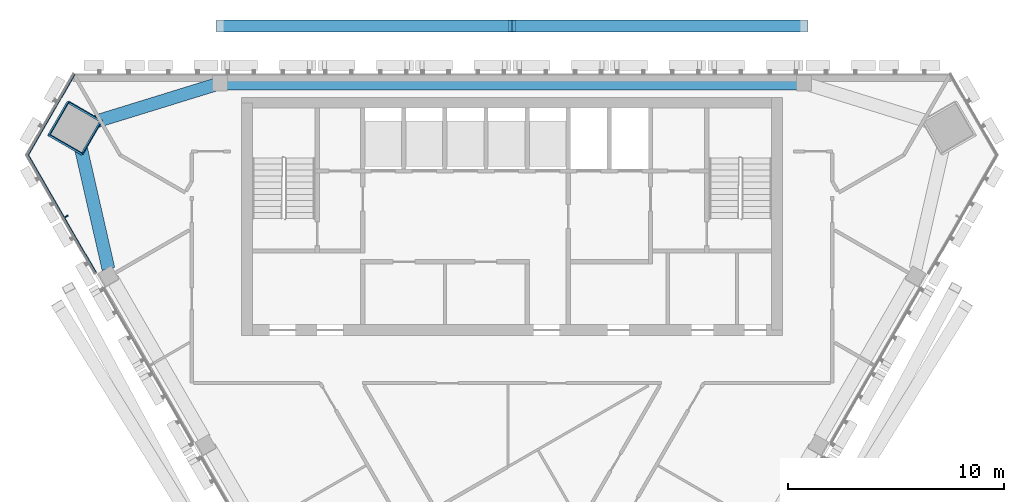
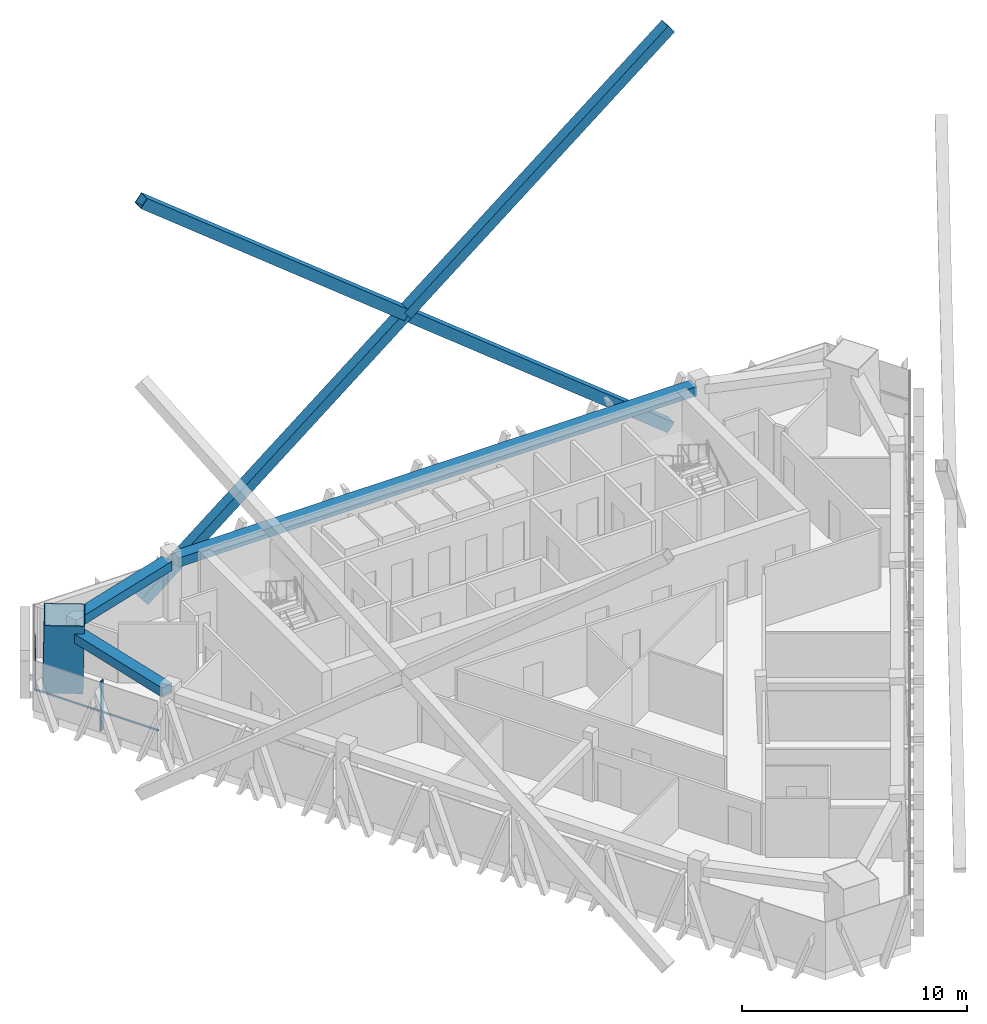
# One storey, part 5 of 12: 8 members, 3 beams, 2 elements without a shape of their own.
"""IFC4 building model written with IfcOpenShell, lengths in metres."""

from ifc_helpers import new_model, si_unit, direction, frame, origin, origin_2d, place, context, subcontext, project, spatial, rectangle, hollow_rectangle, extrude, material, layer, layer_set, material_profile, profile_set, type_object, element, aggregate, save


model = new_model("IFC4")

# Units and contexts
model_context = context("Model", 3, precision=1e-05, world=origin(), true_north=direction((0.0, 1.0)))
body_context = subcontext(model_context, "Body", "Model", "MODEL_VIEW")
ifc_project = project(units=[si_unit("LENGTHUNIT", "METRE"), si_unit("AREAUNIT", "SQUARE_METRE"), si_unit("VOLUMEUNIT", "CUBIC_METRE"), si_unit("PLANEANGLEUNIT", "RADIAN"), si_unit("MASSUNIT", "GRAM", prefix="KILO")], contexts=[model_context])

# Site, building, storey
site_placement = place(None, origin())
site = spatial("IfcSite", under=ifc_project, at=site_placement, CompositionType="ELEMENT")
building_placement = place(site_placement, origin())
building = spatial("IfcBuilding", under=site, at=building_placement, Name="Altiplano Prism Tower", CompositionType="ELEMENT")
storey_placement = place(building_placement, frame((0.0, 0.0, 291.39990234375)))
storey = spatial("IfcBuildingStorey", under=building, at=storey_placement, Name="L75", CompositionType="ELEMENT", Elevation=291.39990234375)

# Curtain wall, member
ifc_material_1 = material(Name="Aluminium and glass", Category="aluminium")
ifc_layer = layer(ifc_material_1, 0.280029296875)
ifc_layer_set = layer_set([ifc_layer], Name="Aluminium and glass")
curtain_wall_type = type_object("IfcCurtainWallType", Name="CW1 typical co-living unitised curtain wall", PredefinedType="NOTDEFINED", material=ifc_layer_set)
curtain_wall_1_placement = place(storey_placement, origin())
curtain_wall_1 = element("IfcCurtainWall", 1, at=curtain_wall_1_placement, inside=storey, type_object=curtain_wall_type, Name="CW1 curtain wall south-west face L75", PredefinedType="NOTDEFINED")
ifc_material_2 = material(Name="Aluminium", Category="aluminium")
ifc_material_profile_1 = material_profile(ifc_material_2, rectangle(XDim=0.179931640625, YDim=0.06494140625, at=origin_2d()), Name="CW1 mullion 65 x 180")
ifc_profile_set_1 = profile_set([ifc_material_profile_1], Name="Aluminium")
member_type_1 = type_object("IfcMemberType", Name="CW1 mullion 65 x 180", PredefinedType="MULLION", material=ifc_profile_set_1)
member_1_placement = place(storey_placement, frame((64.40869140625, 98.39599609375, 0.0), z_axis=(0.0, 0.0, 1.0), x_axis=(0.866025410373, 0.499999988588, 0.0)))
member_1 = element("IfcMember", 2, at=member_1_placement, type_object=member_type_1, Name="CW1 mullion", PredefinedType="MULLION", context=body_context, shape_type="SweptSolid", body=[
    extrude(rectangle(XDim=0.179931640625, YDim=0.06494140625, at=origin_2d()), origin(), (0.0, 0.0, 1.0), 2.7001953125),
])

curtain_wall_2_placement = place(storey_placement, origin())
curtain_wall_2 = element("IfcCurtainWall", 3, at=curtain_wall_2_placement, inside=storey, type_object=curtain_wall_type, Name="CW1 curtain wall north-west chamfer L75", PredefinedType="NOTDEFINED")
ifc_material_profile_2 = material_profile(ifc_material_2, rectangle(XDim=0.06005859375, YDim=0.080078125, at=origin_2d()), Name="CW1 transom 80 x 60")
ifc_profile_set_2 = profile_set([ifc_material_profile_2], Name="Aluminium")
member_type_2 = type_object("IfcMemberType", Name="CW1 transom 80 x 60", PredefinedType="USERDEFINED", material=ifc_profile_set_2)
member_2_placement = place(storey_placement, frame((64.7841796875, 104.965087890625, 1.10009765625), z_axis=(-0.500010903086, -0.866019108793, 0.0), x_axis=(0.866019108793, -0.500010903086, 0.0)))
member_2 = element("IfcMember", 4, at=member_2_placement, type_object=member_type_2, Name="CW1 transom", ObjectType="TRANSOM", PredefinedType="USERDEFINED", context=body_context, shape_type="SweptSolid", body=[
    extrude(rectangle(XDim=0.06005859375, YDim=0.080078125, at=origin_2d()), origin(), (0.0, 0.0, 1.0), 4.34716796875),
])
aggregate(curtain_wall_2, [member_2])

# Member
member_3_placement = place(storey_placement, frame((62.610595703125, 101.2705078125, 1.10009765625), z_axis=(0.500015464265, -0.866016475303, 0.0), x_axis=(0.866016475303, 0.500015464265, 0.0)))
member_3 = element("IfcMember", 5, at=member_3_placement, type_object=member_type_2, Name="CW1 transom", ObjectType="TRANSOM", PredefinedType="USERDEFINED", context=body_context, shape_type="SweptSolid", body=[
    extrude(rectangle(XDim=0.06005859375, YDim=0.080078125, at=origin_2d()), origin(), (0.0, 0.0, 1.0), 6.346923828125),
])

aggregate(curtain_wall_1, [member_1, member_3])

# Beams
ifc_material_3 = material(Name="Concrete C60/75", Category="concrete")
ifc_material_profile_3 = material_profile(ifc_material_3, rectangle(XDim=0.60009765625, YDim=0.5, at=origin_2d()), Name="Edge beam 600x500")
ifc_profile_set_3 = profile_set([ifc_material_profile_3], Name="Concrete C60/75")
beam_type = type_object("IfcBeamType", Name="Edge beam 600x500", PredefinedType="SPANDREL", material=ifc_profile_set_3)
beam_1_placement = place(storey_placement, frame((98.27001953125, 104.550048828125, 2.9501953125), z_axis=(-1.0, 0.0, 0.0), x_axis=(0.0, -1.0, 0.0)))
element("IfcBeam", 6, at=beam_1_placement, inside=storey, type_object=beam_type, Name="Edge beam P01-P04 L76", PredefinedType="SPANDREL", context=body_context, shape_type="SweptSolid", body=[
    extrude(rectangle(XDim=0.60009765625, YDim=0.5, at=origin_2d()), origin(), (0.0, 0.0, 1.0), 26.5400390625),
])
beam_2_placement = place(storey_placement, frame((71.2646484375, 104.477294921875, 2.9501953125), z_axis=(-0.95547857938, -0.295060475744, 0.0), x_axis=(0.295060475744, -0.95547857938, 0.0)))
element("IfcBeam", 7, at=beam_2_placement, inside=storey, type_object=beam_type, Name="Edge beam P04-M0 L76", PredefinedType="SPANDREL", context=body_context, shape_type="SweptSolid", body=[
    extrude(rectangle(XDim=0.60009765625, YDim=0.5, at=origin_2d()), origin(), (0.0, 0.0, 1.0), 6.247802734375),
])
beam_3_placement = place(storey_placement, frame((64.96484375, 102.062255859375, 2.9501953125), z_axis=(0.222218930866, -0.974996793207, 0.0), x_axis=(0.974996793207, 0.222218930866, 0.0)))
element("IfcBeam", 8, at=beam_3_placement, inside=storey, type_object=beam_type, Name="Edge beam M0-P11 L76", PredefinedType="SPANDREL", context=body_context, shape_type="SweptSolid", body=[
    extrude(rectangle(XDim=0.60009765625, YDim=0.5, at=origin_2d()), origin(), (0.0, 0.0, 1.0), 6.248046875),
])

# Members
ifc_material_4 = material(Name="Steel S355", Category="steel")
ifc_material_profile_4 = material_profile(ifc_material_4, hollow_rectangle(XDim=0.550048828125, YDim=0.550048828125, WallThickness=0.030029296875, at=origin_2d()), Name="Mega brace Box 550x550x30")
ifc_profile_set_4 = profile_set([ifc_material_profile_4], Name="Steel S355")
member_type_3 = type_object("IfcMemberType", Name="Mega brace Box 550x550x30", PredefinedType="BRACE", material=ifc_profile_set_4)
member_4_placement = place(storey_placement, frame((98.4765625, 107.199951171875, -0.731201171875), z_axis=(-0.780868809443, 0.0, 0.624695047554), x_axis=(0.0, -1.0, 0.0)))
element("IfcMember", 9, at=member_4_placement, inside=storey, type_object=member_type_3, Name="Mega brace 8.0.1", PredefinedType="BRACE", context=body_context, shape_type="SweptSolid", body=[
    extrude(hollow_rectangle(XDim=0.550048828125, YDim=0.550048828125, WallThickness=0.030029296875, at=origin_2d()), origin(), (0.0, 0.0, 1.0), 17.25830078125),
])
member_5_placement = place(storey_placement, frame((85.0, 107.199951171875, 10.050048828125), z_axis=(-0.780867431725, 0.0, 0.624696769698), x_axis=(0.0, -1.0, 0.0)))
element("IfcMember", 10, at=member_5_placement, inside=storey, type_object=member_type_3, Name="Mega brace 8.0.2", PredefinedType="BRACE", context=body_context, shape_type="SweptSolid", body=[
    extrude(hollow_rectangle(XDim=0.550048828125, YDim=0.550048828125, WallThickness=0.030029296875, at=origin_2d()), origin(), (0.0, 0.0, 1.0), 17.28857421875),
])
member_6_placement = place(storey_placement, frame((71.5234375, 107.199951171875, -0.731201171875), z_axis=(0.780868809443, 0.0, 0.624695047554), x_axis=(0.0, 1.0, 0.0)))
element("IfcMember", 11, at=member_6_placement, inside=storey, type_object=member_type_3, Name="Mega brace 8.0.3", PredefinedType="BRACE", context=body_context, shape_type="SweptSolid", body=[
    extrude(hollow_rectangle(XDim=0.550048828125, YDim=0.550048828125, WallThickness=0.030029296875, at=origin_2d()), origin(), (0.0, 0.0, 1.0), 17.25830078125),
])
member_7_placement = place(storey_placement, frame((85.0, 107.199951171875, 10.050048828125), z_axis=(0.780867431725, 0.0, 0.624696769698), x_axis=(0.0, 1.0, 0.0)))
element("IfcMember", 12, at=member_7_placement, inside=storey, type_object=member_type_3, Name="Mega brace 8.0.4", PredefinedType="BRACE", context=body_context, shape_type="SweptSolid", body=[
    extrude(hollow_rectangle(XDim=0.550048828125, YDim=0.550048828125, WallThickness=0.030029296875, at=origin_2d()), origin(), (0.0, 0.0, 1.0), 17.28857421875),
])
ifc_material_5 = material(Name="Steel S460", Category="steel")
ifc_material_profile_5 = material_profile(ifc_material_5, hollow_rectangle(XDim=1.800048828125, YDim=1.800048828125, WallThickness=0.0400390625, at=origin_2d()), Name="Mega column tube 1800")
ifc_profile_set_5 = profile_set([ifc_material_profile_5], Name="Steel S460")
member_type_4 = type_object("IfcMemberType", Name="Mega column tube 1800", PredefinedType="POST", material=ifc_profile_set_5)
member_8_placement = place(storey_placement, frame((64.7626953125, 102.4677734375, 0.0), z_axis=(0.028334084323, 0.009218745139, 0.999555998633), x_axis=(-0.865481825265, 0.500544223539, 0.019917088604)))
element("IfcMember", 13, at=member_8_placement, inside=storey, type_object=member_type_4, Name="Mega column tube M0 L75", PredefinedType="POST", context=body_context, shape_type="SweptSolid", body=[
    extrude(hollow_rectangle(XDim=1.800048828125, YDim=1.800048828125, WallThickness=0.0400390625, at=origin_2d()), origin(), (0.0, 0.0, 1.0), 3.601806640625),
])

save(model, "model.ifc")
